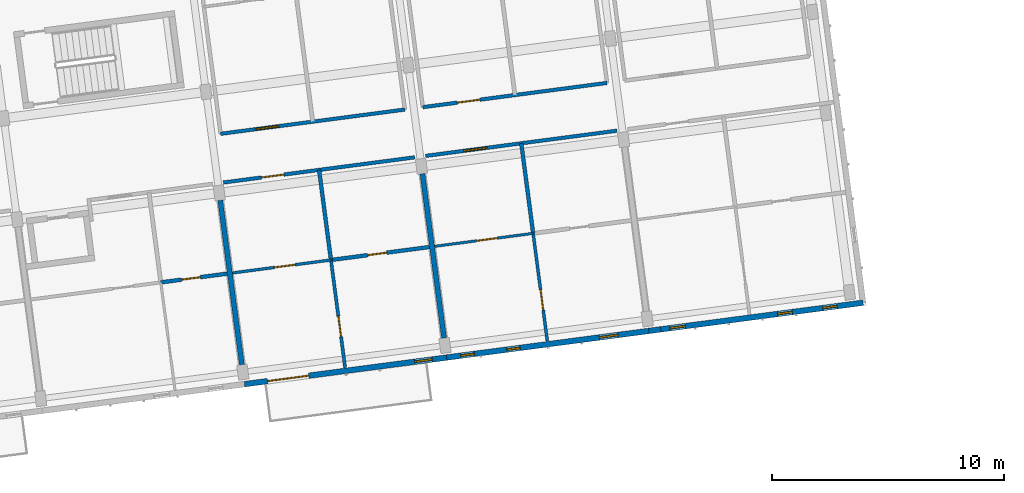
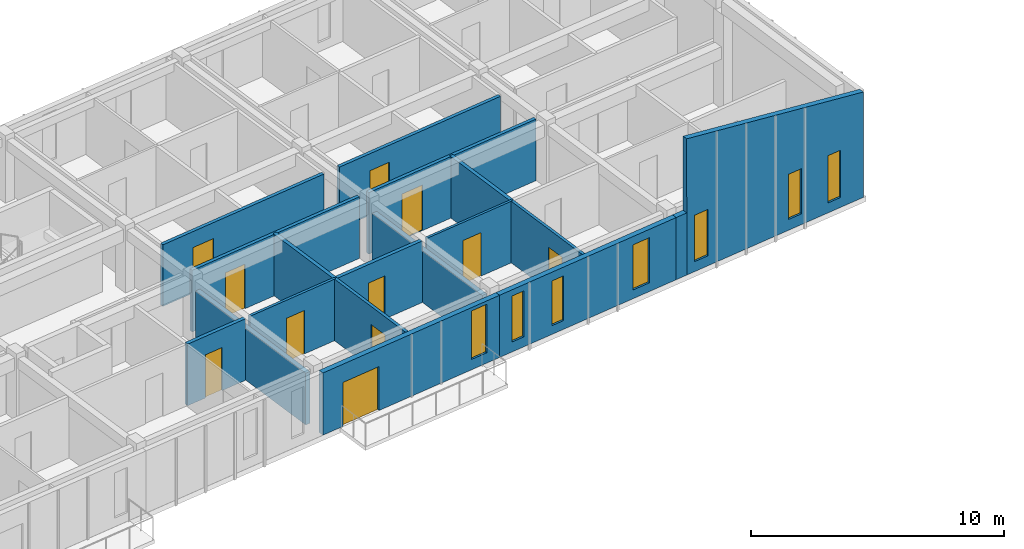
# One storey, part 14 of 31: 18 walls, 11 doors, 7 windows, 18 openings.
"""IFC4 building model written with IfcOpenShell, lengths in metres."""

from ifc_helpers import new_model, si_unit, direction, frame, frame_2d, origin, place, context, subcontext, project, spatial, polyline, rectangle, outline, extrude, material, layer, layer_set, type_object, element, fill, save


model = new_model("IFC4")

# Units and contexts
model_context = context("Model", 3, precision=1e-05, world=origin(), true_north=direction((0.0, 1.0)))
body_context = subcontext(model_context, "Body", "Model", "MODEL_VIEW")
ifc_project = project(units=[si_unit("LENGTHUNIT", "METRE"), si_unit("AREAUNIT", "SQUARE_METRE"), si_unit("VOLUMEUNIT", "CUBIC_METRE"), si_unit("PLANEANGLEUNIT", "RADIAN"), si_unit("MASSUNIT", "GRAM", prefix="KILO")], contexts=[model_context])

# Site, building, storey
site_placement = place(None, origin())
site = spatial("IfcSite", under=ifc_project, at=site_placement, CompositionType="ELEMENT")
building_placement = place(site_placement, origin())
building = spatial("IfcBuilding", under=site, at=building_placement, Name="Kestramere Prow Commons", CompositionType="ELEMENT")
storey_placement = place(building_placement, frame((0.0, 0.0, 37.64990234375)))
storey = spatial("IfcBuildingStorey", under=building, at=storey_placement, Name="L11", CompositionType="ELEMENT", Elevation=37.64990234375)

# Wall, openings, door, window
ifc_material_1 = material(Name="Fluoropolymer Standing-Seam Zinc-Aluminium Cladding", Category="aluminium")
ifc_layer_1 = layer(ifc_material_1, 0.239990234375)
ifc_layer_set_1 = layer_set([ifc_layer_1], Name="Fluoropolymer Standing-Seam Zinc-Aluminium Cladding")
wall_type_1 = type_object("IfcWallType", Name="EW-SEAM-240", PredefinedType="SOLIDWALL", material=ifc_layer_set_1)
wall_1_placement = place(storey_placement, frame((46.16748046875, 76.073974609375, 0.0), z_axis=(0.0, 0.0, 1.0), x_axis=(-0.991444377792, -0.130529865336, 0.0)))
wall_1 = element("IfcWall", 1, at=wall_1_placement, inside=storey, type_object=wall_type_1, Name="Block A L11 South Standing-Seam Wall 4", PredefinedType="SOLIDWALL", context=body_context, shape_type="SweptSolid", body=[
    extrude(rectangle(XDim=8.800048828125, YDim=0.239990234375, at=frame_2d((4.39990234375, 0.0))), origin(), (0.0, 0.0, 1.0), 3.0),
])
opening_1_placement = place(wall_1_placement, frame((5.9970703125, 0.0, 0.0)))
opening_1 = element("IfcOpeningElement", 2, at=opening_1_placement, cuts=wall_1, Name="Opening GD-BAL-02", PredefinedType="OPENING", context=body_context, shape_type="SweptSolid", body=[
    extrude(rectangle(XDim=1.800048828125, YDim=2.1201171875, at=frame_2d((0.89990234375, 1.06005859375))), frame((0.0, 0.135009765625, 0.0), z_axis=(0.0, -1.0, 0.0), x_axis=(1.0, 0.0, 0.0)), (0.0, 0.0, 1.0), 0.27001953125),
])
opening_2_placement = place(wall_1_placement, frame((0.6298828125, 0.0, 0.5)))
opening_2 = element("IfcOpeningElement", 3, at=opening_2_placement, cuts=wall_1, Name="Opening WN-10", PredefinedType="OPENING", context=body_context, shape_type="SweptSolid", body=[
    extrude(rectangle(XDim=0.760009765625, YDim=2.340087890625, at=frame_2d((0.3798828125, 1.169921875))), frame((0.0, 0.135009765625, 0.0), z_axis=(0.0, -1.0, 0.0), x_axis=(1.0, 0.0, 0.0)), (0.0, 0.0, 1.0), 0.27001953125),
])
ifc_material_2 = material(Name="Thermally-Broken Anodised Aluminium Glazed", Category="aluminium")
door_type_1 = type_object("IfcDoorType", Name="GD-BAL-1800", OperationType="SLIDING_TO_LEFT", PredefinedType="DOOR", material=ifc_material_2)
door_1_placement = place(opening_1_placement, origin())
door_1 = element("IfcDoor", 4, at=door_1_placement, inside=storey, type_object=door_type_1, Name="Block A L11 Balcony Door 4", OperationType="SLIDING_TO_LEFT", OverallHeight=2.1201171875, OverallWidth=1.800048828125, PredefinedType="DOOR", context=body_context, shape_type="SweptSolid", body=[
    extrude(rectangle(XDim=1.800048828125, YDim=2.1201171875, at=frame_2d((0.89990234375, 1.06005859375))), frame((0.0, 0.02490234375, 0.0), z_axis=(0.0, -1.0, 0.0), x_axis=(1.0, 0.0, 0.0)), (0.0, 0.0, 1.0), 0.050048828125),
])
fill(opening_1, door_1)
ifc_material_3 = material(Name="Low-E Laminated Double Glazing", Category="glass")
window_type_1 = type_object("IfcWindowType", Name="WN-NAR-760A", PartitioningType="SINGLE_PANEL", PredefinedType="WINDOW", material=ifc_material_3)
window_1_placement = place(opening_2_placement, origin())
window_1 = element("IfcWindow", 5, at=window_1_placement, inside=storey, type_object=window_type_1, Name="WN-A-L11-SR-3", OverallHeight=2.340087890625, OverallWidth=0.760009765625, PartitioningType="SINGLE_PANEL", PredefinedType="WINDOW", context=body_context, shape_type="SweptSolid", body=[
    extrude(rectangle(XDim=0.760009765625, YDim=2.340087890625, at=frame_2d((0.3798828125, 1.169921875))), frame((0.0, 0.030029296875, 0.0), z_axis=(0.0, -1.0, 0.0), x_axis=(1.0, 0.0, 0.0)), (0.0, 0.0, 1.0), 0.06005859375),
])
fill(opening_2, window_1)

# Wall, openings, windows
wall_2_placement = place(storey_placement, frame((54.89208984375, 77.22265625, 0.0), z_axis=(0.0, 0.0, 1.0), x_axis=(-0.991443905089, -0.130533455715, 0.0)))
wall_2 = element("IfcWall", 6, at=wall_2_placement, inside=storey, type_object=wall_type_1, Name="Block A L11 South Standing-Seam Wall 5", PredefinedType="SOLIDWALL", context=body_context, shape_type="SweptSolid", body=[
    extrude(rectangle(XDim=8.7998046875, YDim=0.239990234375, at=frame_2d((4.39990234375, 0.0))), origin(), (0.0, 0.0, 1.0), 3.0),
])
opening_3_placement = place(wall_2_placement, frame((1.342041015625, 0.0, 0.419921875)))
opening_3 = element("IfcOpeningElement", 7, at=opening_3_placement, cuts=wall_2, Name="Opening WN-13", PredefinedType="OPENING", context=body_context, shape_type="SweptSolid", body=[
    extrude(rectangle(XDim=0.820068359375, YDim=2.179931640625, at=frame_2d((0.41015625, 1.08984375))), frame((0.0, 0.135009765625, 0.0), z_axis=(0.0, -1.0, 0.0), x_axis=(1.0, 0.0, 0.0)), (0.0, 0.0, 1.0), 0.27001953125),
])
opening_4_placement = place(wall_2_placement, frame((5.60400390625, 0.0, 0.419921875)))
opening_4 = element("IfcOpeningElement", 8, at=opening_4_placement, cuts=wall_2, Name="Opening WN-01", PredefinedType="OPENING", context=body_context, shape_type="SweptSolid", body=[
    extrude(rectangle(XDim=0.580078125, YDim=2.159912109375, at=frame_2d((0.2900390625, 1.080078125))), frame((0.0, 0.135009765625, 0.0), z_axis=(0.0, -1.0, 0.0), x_axis=(1.0, 0.0, 0.0)), (0.0, 0.0, 1.0), 0.27001953125),
])
opening_5_placement = place(wall_2_placement, frame((7.590087890625, 0.0, 0.47998046875)))
opening_5 = element("IfcOpeningElement", 9, at=opening_5_placement, cuts=wall_2, Name="Opening WN-02", PredefinedType="OPENING", context=body_context, shape_type="SweptSolid", body=[
    extrude(rectangle(XDim=0.60009765625, YDim=2.219970703125, at=frame_2d((0.300048828125, 1.10986328125))), frame((0.0, 0.135009765625, 0.0), z_axis=(0.0, -1.0, 0.0), x_axis=(1.0, 0.0, 0.0)), (0.0, 0.0, 1.0), 0.27001953125),
])
window_type_2 = type_object("IfcWindowType", Name="WN-NAR-580A", PartitioningType="SINGLE_PANEL", PredefinedType="WINDOW", material=ifc_material_3)
window_2_placement = place(opening_4_placement, origin())
window_2 = element("IfcWindow", 10, at=window_2_placement, inside=storey, type_object=window_type_2, Name="WN-A-L11-S-4-10", OverallHeight=2.159912109375, OverallWidth=0.580078125, PartitioningType="SINGLE_PANEL", PredefinedType="WINDOW", context=body_context, shape_type="SweptSolid", body=[
    extrude(rectangle(XDim=0.580078125, YDim=2.159912109375, at=frame_2d((0.2900390625, 1.080078125))), frame((0.0, 0.030029296875, 0.0), z_axis=(0.0, -1.0, 0.0), x_axis=(1.0, 0.0, 0.0)), (0.0, 0.0, 1.0), 0.06005859375),
])
fill(opening_4, window_2)
window_type_3 = type_object("IfcWindowType", Name="WN-NAR-600A", PartitioningType="SINGLE_PANEL", PredefinedType="WINDOW", material=ifc_material_3)
window_3_placement = place(opening_5_placement, origin())
window_3 = element("IfcWindow", 11, at=window_3_placement, inside=storey, type_object=window_type_3, Name="WN-A-L11-S-4-11", OverallHeight=2.219970703125, OverallWidth=0.60009765625, PartitioningType="SINGLE_PANEL", PredefinedType="WINDOW", context=body_context, shape_type="SweptSolid", body=[
    extrude(rectangle(XDim=0.60009765625, YDim=2.219970703125, at=frame_2d((0.300048828125, 1.10986328125))), frame((0.0, 0.030029296875, 0.0), z_axis=(0.0, -1.0, 0.0), x_axis=(1.0, 0.0, 0.0)), (0.0, 0.0, 1.0), 0.06005859375),
])
fill(opening_5, window_3)
window_type_4 = type_object("IfcWindowType", Name="WN-NAR-820A", PartitioningType="DOUBLE_PANEL_VERTICAL", PredefinedType="WINDOW", material=ifc_material_3)
window_4_placement = place(opening_3_placement, origin())
window_4 = element("IfcWindow", 12, at=window_4_placement, inside=storey, type_object=window_type_4, Name="WN-A-L11-S-4-00", OverallHeight=2.179931640625, OverallWidth=0.820068359375, PartitioningType="SINGLE_PANEL", PredefinedType="WINDOW", context=body_context, shape_type="SweptSolid", body=[
    extrude(rectangle(XDim=0.820068359375, YDim=2.179931640625, at=frame_2d((0.41015625, 1.08984375))), frame((0.0, 0.030029296875, 0.0), z_axis=(0.0, -1.0, 0.0), x_axis=(1.0, 0.0, 0.0)), (0.0, 0.0, 1.0), 0.06005859375),
])
fill(opening_3, window_4)

# Wall
wall_3_placement = place(storey_placement, frame((55.41259765625, 77.291259765625, 0.0), z_axis=(0.0, 0.0, 1.0), x_axis=(-0.991425781816, -0.130671034095, 0.0)))
element("IfcWall", 13, at=wall_3_placement, inside=storey, type_object=wall_type_1, Name="Block A L11 South Step-Back Spandrel Wall 6", PredefinedType="SOLIDWALL", context=body_context, shape_type="SweptSolid", body=[
    extrude(rectangle(XDim=0.52490234375, YDim=0.239990234375, at=frame_2d((0.262451171875, 0.0))), origin(), (0.0, 0.0, 1.0), 3.0),
])

# Wall, openings, windows
wall_4_placement = place(storey_placement, frame((64.13720703125, 78.439697265625, 0.0), z_axis=(0.0, 0.0, 1.0), x_axis=(-0.991447495205, -0.130506184728, 0.0)))
wall_4 = element("IfcWall", 14, at=wall_4_placement, inside=storey, type_object=wall_type_1, Name="Block A L11 South Standing-Seam Wall 6", PredefinedType="SOLIDWALL", context=body_context, shape_type="SweptSolid", body=[
    extrude(outline(polyline([(0.0, 0.0), (8.7998046875, 0.0), (8.800048828125, 6.572509765625), (0.0, 5.0830078125), (0.0, 0.0)])), frame((0.0, 0.1201171875, 0.0), z_axis=(0.0, -1.0, 0.0), x_axis=(1.0, 0.0, 0.0)), (0.0, 0.0, 1.0), 0.239990234375),
])
opening_6_placement = place(wall_4_placement, frame((1.135009765625, 0.0, 0.47998046875)))
opening_6 = element("IfcOpeningElement", 15, at=opening_6_placement, cuts=wall_4, Name="Opening WN-03", PredefinedType="OPENING", context=body_context, shape_type="SweptSolid", body=[
    extrude(rectangle(XDim=0.6201171875, YDim=2.280029296875, at=frame_2d((0.31005859375, 1.14013671875))), frame((0.0, 0.135009765625, 0.0), z_axis=(0.0, -1.0, 0.0), x_axis=(1.0, 0.0, 0.0)), (0.0, 0.0, 1.0), 0.27001953125),
])
opening_7_placement = place(wall_4_placement, frame((3.0810546875, 0.0, 0.52001953125)))
opening_7 = element("IfcOpeningElement", 16, at=opening_7_placement, cuts=wall_4, Name="Opening WN-04", PredefinedType="OPENING", context=body_context, shape_type="SweptSolid", body=[
    extrude(rectangle(XDim=0.639892578125, YDim=2.179931640625, at=frame_2d((0.31982421875, 1.08984375))), frame((0.0, 0.135009765625, 0.0), z_axis=(0.0, -1.0, 0.0), x_axis=(1.0, 0.0, 0.0)), (0.0, 0.0, 1.0), 0.27001953125),
])
opening_8_placement = place(wall_4_placement, frame((7.730224609375, 0.0, 0.47998046875)))
opening_8 = element("IfcOpeningElement", 17, at=opening_8_placement, cuts=wall_4, Name="Opening WN-06", PredefinedType="OPENING", context=body_context, shape_type="SweptSolid", body=[
    extrude(rectangle(XDim=0.679931640625, YDim=2.239990234375, at=frame_2d((0.33984375, 1.1201171875))), frame((0.0, 0.135009765625, 0.0), z_axis=(0.0, -1.0, 0.0), x_axis=(1.0, 0.0, 0.0)), (0.0, 0.0, 1.0), 0.27001953125),
])
window_type_5 = type_object("IfcWindowType", Name="WN-NAR-620A", PartitioningType="SINGLE_PANEL", PredefinedType="WINDOW", material=ifc_material_3)
window_5_placement = place(opening_6_placement, origin())
window_5 = element("IfcWindow", 18, at=window_5_placement, inside=storey, type_object=window_type_5, Name="WN-A-L11-S-5-00", OverallHeight=2.280029296875, OverallWidth=0.6201171875, PartitioningType="SINGLE_PANEL", PredefinedType="WINDOW", context=body_context, shape_type="SweptSolid", body=[
    extrude(rectangle(XDim=0.6201171875, YDim=2.280029296875, at=frame_2d((0.31005859375, 1.14013671875))), frame((0.0, 0.030029296875, 0.0), z_axis=(0.0, -1.0, 0.0), x_axis=(1.0, 0.0, 0.0)), (0.0, 0.0, 1.0), 0.06005859375),
])
fill(opening_6, window_5)
window_type_6 = type_object("IfcWindowType", Name="WN-NAR-640A", PartitioningType="SINGLE_PANEL", PredefinedType="WINDOW", material=ifc_material_3)
window_6_placement = place(opening_7_placement, origin())
window_6 = element("IfcWindow", 19, at=window_6_placement, inside=storey, type_object=window_type_6, Name="WN-A-L11-S-5-01", OverallHeight=2.179931640625, OverallWidth=0.639892578125, PartitioningType="SINGLE_PANEL", PredefinedType="WINDOW", context=body_context, shape_type="SweptSolid", body=[
    extrude(rectangle(XDim=0.639892578125, YDim=2.179931640625, at=frame_2d((0.31982421875, 1.08984375))), frame((0.0, 0.030029296875, 0.0), z_axis=(0.0, -1.0, 0.0), x_axis=(1.0, 0.0, 0.0)), (0.0, 0.0, 1.0), 0.06005859375),
])
fill(opening_7, window_6)
window_type_7 = type_object("IfcWindowType", Name="WN-NAR-680A", PartitioningType="SINGLE_PANEL", PredefinedType="WINDOW", material=ifc_material_3)
window_7_placement = place(opening_8_placement, origin())
window_7 = element("IfcWindow", 20, at=window_7_placement, inside=storey, type_object=window_type_7, Name="WN-A-L11-S-5-10", OverallHeight=2.239990234375, OverallWidth=0.679931640625, PartitioningType="SINGLE_PANEL", PredefinedType="WINDOW", context=body_context, shape_type="SweptSolid", body=[
    extrude(rectangle(XDim=0.679931640625, YDim=2.239990234375, at=frame_2d((0.33984375, 1.1201171875))), frame((0.0, 0.030029296875, 0.0), z_axis=(0.0, -1.0, 0.0), x_axis=(1.0, 0.0, 0.0)), (0.0, 0.0, 1.0), 0.06005859375),
])
fill(opening_8, window_7)

# Wall, opening, door
ifc_material_4 = material(Name="Fire-Rated Calcium Silicate Wall")
ifc_layer_2 = layer(ifc_material_4, 0.155029296875)
ifc_layer_set_2 = layer_set([ifc_layer_2], Name="Fire-Rated Calcium Silicate Wall")
wall_type_2 = type_object("IfcWallType", Name="W-FIRE-150", PredefinedType="PARTITIONING", material=ifc_layer_set_2)
wall_5_placement = place(storey_placement, frame((36.5341796875, 83.626220703125, 0.0), z_axis=(0.0, 0.0, 1.0), x_axis=(0.991443119217, 0.13053942453, 0.0)))
wall_5 = element("IfcWall", 21, at=wall_5_placement, inside=storey, type_object=wall_type_2, Name="Interior Partition PW-A-L11-CS-3", PredefinedType="PARTITIONING", context=body_context, shape_type="SweptSolid", body=[
    extrude(rectangle(XDim=8.330078125, YDim=0.155029296875, at=frame_2d((4.1650390625, 0.0))), origin(), (0.0, 0.0, 1.0), 2.97021484375),
])
opening_9_placement = place(wall_5_placement, frame((1.655029296875, 0.0, 0.0)))
opening_9 = element("IfcOpeningElement", 22, at=opening_9_placement, cuts=wall_5, Name="Opening ID-04", PredefinedType="OPENING", context=body_context, shape_type="SweptSolid", body=[
    extrude(rectangle(XDim=0.97998046875, YDim=2.14990234375, at=frame_2d((0.489990234375, 1.074951171875))), frame((0.0, 0.092529296875, 0.0), z_axis=(0.0, -1.0, 0.0), x_axis=(1.0, 0.0, 0.0)), (0.0, 0.0, 1.0), 0.18505859375),
])
ifc_material_5 = material(Name="Hardwood Fire-Rated Flat Entrance Door", Category="wood")
door_type_2 = type_object("IfcDoorType", Name="FD-ENT-01", OperationType="NOTDEFINED", PredefinedType="DOOR", material=ifc_material_5)
door_2_placement = place(opening_9_placement, origin())
door_2 = element("IfcDoor", 23, at=door_2_placement, inside=storey, type_object=door_type_2, Name="Interior Door DR-A-L11-ENT-S3", OperationType="SINGLE_SWING_LEFT", OverallHeight=2.14990234375, OverallWidth=0.97998046875, PredefinedType="DOOR", context=body_context, shape_type="SweptSolid", body=[
    extrude(rectangle(XDim=0.97998046875, YDim=2.14990234375, at=frame_2d((0.489990234375, 1.074951171875))), frame((0.0, 0.02490234375, 0.0), z_axis=(0.0, -1.0, 0.0), x_axis=(1.0, 0.0, 0.0)), (0.0, 0.0, 1.0), 0.050048828125),
])
fill(opening_9, door_2)

wall_6_placement = place(storey_placement, frame((45.259033203125, 84.77490234375, 0.0), z_axis=(0.0, 0.0, 1.0), x_axis=(0.991446412738, 0.130514407897, 0.0)))
wall_6 = element("IfcWall", 24, at=wall_6_placement, inside=storey, type_object=wall_type_2, Name="Interior Partition PW-A-L11-CS-4", PredefinedType="PARTITIONING", context=body_context, shape_type="SweptSolid", body=[
    extrude(rectangle(XDim=8.329833984375, YDim=0.155029296875, at=frame_2d((4.1650390625, 0.0))), origin(), (0.0, 0.0, 1.0), 2.97021484375),
])
opening_10_placement = place(wall_6_placement, frame((1.655029296875, 0.0, 0.0)))
opening_10 = element("IfcOpeningElement", 25, at=opening_10_placement, cuts=wall_6, Name="Opening ID-05", PredefinedType="OPENING", context=body_context, shape_type="SweptSolid", body=[
    extrude(rectangle(XDim=1.02001953125, YDim=2.199951171875, at=frame_2d((0.510009765625, 1.10009765625))), frame((0.0, 0.092529296875, 0.0), z_axis=(0.0, -1.0, 0.0), x_axis=(1.0, 0.0, 0.0)), (0.0, 0.0, 1.0), 0.18505859375),
])
door_type_3 = type_object("IfcDoorType", Name="FD-ENT-02", OperationType="NOTDEFINED", PredefinedType="DOOR", material=ifc_material_5)
door_3_placement = place(opening_10_placement, origin())
door_3 = element("IfcDoor", 26, at=door_3_placement, inside=storey, type_object=door_type_3, Name="Interior Door DR-A-L11-ENT-S4", OperationType="SINGLE_SWING_RIGHT", OverallHeight=2.199951171875, OverallWidth=1.02001953125, PredefinedType="DOOR", context=body_context, shape_type="SweptSolid", body=[
    extrude(rectangle(XDim=1.02001953125, YDim=2.199951171875, at=frame_2d((0.510009765625, 1.10009765625))), frame((0.0, 0.02490234375, 0.0), z_axis=(0.0, -1.0, 0.0), x_axis=(1.0, 0.0, 0.0)), (0.0, 0.0, 1.0), 0.050048828125),
])
fill(opening_10, door_3)

wall_7_placement = place(storey_placement, frame((36.413818359375, 85.728515625, 0.0), z_axis=(0.0, 0.0, 1.0), x_axis=(0.991444034844, 0.130532470184, 0.0)))
wall_7 = element("IfcWall", 27, at=wall_7_placement, inside=storey, type_object=wall_type_2, Name="Interior Partition PW-A-L11-CN-3", PredefinedType="PARTITIONING", context=body_context, shape_type="SweptSolid", body=[
    extrude(rectangle(XDim=8.02001953125, YDim=0.155029296875, at=frame_2d((4.010009765625, 0.0))), origin(), (0.0, 0.0, 1.0), 2.97021484375),
])
opening_11_placement = place(wall_7_placement, frame((1.5048828125, 0.0, 0.0)))
opening_11 = element("IfcOpeningElement", 28, at=opening_11_placement, cuts=wall_7, Name="Opening ID-05", PredefinedType="OPENING", context=body_context, shape_type="SweptSolid", body=[
    extrude(rectangle(XDim=1.02001953125, YDim=2.199951171875, at=frame_2d((0.510009765625, 1.10009765625))), frame((0.0, 0.092529296875, 0.0), z_axis=(0.0, -1.0, 0.0), x_axis=(1.0, 0.0, 0.0)), (0.0, 0.0, 1.0), 0.18505859375),
])
door_4_placement = place(opening_11_placement, origin())
door_4 = element("IfcDoor", 29, at=door_4_placement, inside=storey, type_object=door_type_3, Name="Interior Door DR-A-L11-ENT-N3", OperationType="SINGLE_SWING_RIGHT", OverallHeight=2.199951171875, OverallWidth=1.02001953125, PredefinedType="DOOR", context=body_context, shape_type="SweptSolid", body=[
    extrude(rectangle(XDim=1.02001953125, YDim=2.199951171875, at=frame_2d((0.510009765625, 1.10009765625))), frame((0.0, 0.02490234375, 0.0), z_axis=(0.0, -1.0, 0.0), x_axis=(1.0, 0.0, 0.0)), (0.0, 0.0, 1.0), 0.050048828125),
])
fill(opening_11, door_4)

wall_8_placement = place(storey_placement, frame((45.138427734375, 86.877197265625, 0.0), z_axis=(0.0, 0.0, 1.0), x_axis=(0.991444034844, 0.130532470184, 0.0)))
wall_8 = element("IfcWall", 30, at=wall_8_placement, inside=storey, type_object=wall_type_2, Name="Interior Partition PW-A-L11-CN-4", PredefinedType="PARTITIONING", context=body_context, shape_type="SweptSolid", body=[
    extrude(rectangle(XDim=8.02001953125, YDim=0.155029296875, at=frame_2d((4.010009765625, 0.0))), origin(), (0.0, 0.0, 1.0), 2.97021484375),
])
opening_12_placement = place(wall_8_placement, frame((1.5048828125, 0.0, 0.0)))
opening_12 = element("IfcOpeningElement", 31, at=opening_12_placement, cuts=wall_8, Name="Opening ID-04", PredefinedType="OPENING", context=body_context, shape_type="SweptSolid", body=[
    extrude(rectangle(XDim=0.97998046875, YDim=2.14990234375, at=frame_2d((0.489990234375, 1.074951171875))), frame((0.0, 0.092529296875, 0.0), z_axis=(0.0, -1.0, 0.0), x_axis=(1.0, 0.0, 0.0)), (0.0, 0.0, 1.0), 0.18505859375),
])
door_5_placement = place(opening_12_placement, origin())
door_5 = element("IfcDoor", 32, at=door_5_placement, inside=storey, type_object=door_type_2, Name="Interior Door DR-A-L11-ENT-N4", OperationType="SINGLE_SWING_LEFT", OverallHeight=2.14990234375, OverallWidth=0.97998046875, PredefinedType="DOOR", context=body_context, shape_type="SweptSolid", body=[
    extrude(rectangle(XDim=0.97998046875, YDim=2.14990234375, at=frame_2d((0.489990234375, 1.074951171875))), frame((0.0, 0.02490234375, 0.0), z_axis=(0.0, -1.0, 0.0), x_axis=(1.0, 0.0, 0.0)), (0.0, 0.0, 1.0), 0.050048828125),
])
fill(opening_12, door_5)

ifc_material_6 = material(Name="Gypsum Acoustic Drywall")
ifc_layer_3 = layer(ifc_material_6, 0.110107421875)
ifc_layer_set_3 = layer_set([ifc_layer_3], Name="Gypsum Acoustic Drywall")
wall_type_3 = type_object("IfcWallType", Name="W-PART-110", PredefinedType="PARTITIONING", material=ifc_layer_set_3)
wall_9_placement = place(storey_placement, frame((45.651611328125, 80.872802734375, 0.0), z_axis=(0.0, 0.0, 1.0), x_axis=(0.991444014242, 0.130532626667, 0.0)))
wall_9 = element("IfcWall", 33, at=wall_9_placement, inside=storey, type_object=wall_type_3, Name="Interior Partition PW-A-L11-MIDS1-4", PredefinedType="PARTITIONING", context=body_context, shape_type="SweptSolid", body=[
    extrude(rectangle(XDim=4.284912109375, YDim=0.110107421875, at=frame_2d((2.142578125, 0.0))), origin(), (0.0, 0.0, 1.0), 2.97021484375),
])
opening_13_placement = place(wall_9_placement, frame((1.824951171875, 0.0, 0.0)))
opening_13 = element("IfcOpeningElement", 34, at=opening_13_placement, cuts=wall_9, Name="Opening ID-08", PredefinedType="OPENING", context=body_context, shape_type="SweptSolid", body=[
    extrude(rectangle(XDim=0.89990234375, YDim=2.10009765625, at=frame_2d((0.449951171875, 1.050048828125))), frame((0.0, 0.070068359375, 0.0), z_axis=(0.0, -1.0, 0.0), x_axis=(1.0, 0.0, 0.0)), (0.0, 0.0, 1.0), 0.14013671875),
])
ifc_material_7 = material(Name="Engineered Timber Flush Door", Category="wood")
door_type_4 = type_object("IfcDoorType", Name="D-RM-01", OperationType="NOTDEFINED", PredefinedType="DOOR", material=ifc_material_7)
door_6_placement = place(opening_13_placement, origin())
door_6 = element("IfcDoor", 35, at=door_6_placement, inside=storey, type_object=door_type_4, Name="Interior Door DR-A-L11-KL-S4", OperationType="SINGLE_SWING_RIGHT", OverallHeight=2.10009765625, OverallWidth=0.89990234375, PredefinedType="DOOR", context=body_context, shape_type="SweptSolid", body=[
    extrude(rectangle(XDim=0.89990234375, YDim=2.10009765625, at=frame_2d((0.449951171875, 1.050048828125))), frame((0.0, 0.02490234375, 0.0), z_axis=(0.0, -1.0, 0.0), x_axis=(1.0, 0.0, 0.0)), (0.0, 0.0, 1.0), 0.050048828125),
])
fill(opening_13, door_6)

ifc_material_8 = material(Name="Lightweight Blockwork and Plaster", Category="masonry")
ifc_layer_4 = layer(ifc_material_8, 0.1201171875)
ifc_layer_set_4 = layer_set([ifc_layer_4], Name="Lightweight Blockwork and Plaster")
wall_type_4 = type_object("IfcWallType", Name="W-PART-120", PredefinedType="PARTITIONING", material=ifc_layer_set_4)
wall_10_placement = place(storey_placement, frame((36.927001953125, 79.72412109375, 0.0), z_axis=(0.0, 0.0, 1.0), x_axis=(0.991444014242, 0.130532626667, 0.0)))
wall_10 = element("IfcWall", 36, at=wall_10_placement, inside=storey, type_object=wall_type_4, Name="Interior Partition PW-A-L11-MIDS1-3", PredefinedType="PARTITIONING", context=body_context, shape_type="SweptSolid", body=[
    extrude(rectangle(XDim=4.284912109375, YDim=0.1201171875, at=frame_2d((2.142578125, 0.0))), origin(), (0.0, 0.0, 1.0), 2.97021484375),
])
opening_14_placement = place(wall_10_placement, frame((1.824951171875, 0.0, 0.0)))
opening_14 = element("IfcOpeningElement", 37, at=opening_14_placement, cuts=wall_10, Name="Opening ID-08", PredefinedType="OPENING", context=body_context, shape_type="SweptSolid", body=[
    extrude(rectangle(XDim=0.89990234375, YDim=2.10009765625, at=frame_2d((0.449951171875, 1.050048828125))), frame((0.0, 0.074951171875, 0.0), z_axis=(0.0, -1.0, 0.0), x_axis=(1.0, 0.0, 0.0)), (0.0, 0.0, 1.0), 0.150146484375),
])
door_7_placement = place(opening_14_placement, origin())
door_7 = element("IfcDoor", 38, at=door_7_placement, inside=storey, type_object=door_type_4, Name="Interior Door DR-A-L11-KL-S3", OperationType="SINGLE_SWING_RIGHT", OverallHeight=2.10009765625, OverallWidth=0.89990234375, PredefinedType="DOOR", context=body_context, shape_type="SweptSolid", body=[
    extrude(rectangle(XDim=0.89990234375, YDim=2.10009765625, at=frame_2d((0.449951171875, 1.050048828125))), frame((0.0, 0.02490234375, 0.0), z_axis=(0.0, -1.0, 0.0), x_axis=(1.0, 0.0, 0.0)), (0.0, 0.0, 1.0), 0.050048828125),
])
fill(opening_14, door_7)

ifc_layer_5 = layer(ifc_material_8, 0.1298828125)
ifc_layer_set_5 = layer_set([ifc_layer_5], Name="Lightweight Blockwork and Plaster")
wall_type_5 = type_object("IfcWallType", Name="W-PART-130", PredefinedType="PARTITIONING", material=ifc_layer_set_5)
wall_11_placement = place(storey_placement, frame((50.51220703125, 76.7822265625, 0.0), z_axis=(0.0, 0.0, 1.0), x_axis=(-0.130554157184, 0.991441179315, 0.0)))
wall_11 = element("IfcWall", 39, at=wall_11_placement, inside=storey, type_object=wall_type_5, Name="Interior Partition PW-A-L11-LB-S4", PredefinedType="PARTITIONING", context=body_context, shape_type="SweptSolid", body=[
    extrude(rectangle(XDim=4.68994140625, YDim=0.1298828125, at=frame_2d((2.344970703125, 0.0))), origin(), (0.0, 0.0, 1.0), 2.97021484375),
])
opening_15_placement = place(wall_11_placement, frame((1.35009765625, 0.0, 0.0)))
opening_15 = element("IfcOpeningElement", 40, at=opening_15_placement, cuts=wall_11, Name="Opening ID-10", PredefinedType="OPENING", context=body_context, shape_type="SweptSolid", body=[
    extrude(rectangle(XDim=0.8798828125, YDim=2.10009765625, at=frame_2d((0.43994140625, 1.050048828125))), frame((0.0, 0.079833984375, 0.0), z_axis=(0.0, -1.0, 0.0), x_axis=(1.0, 0.0, 0.0)), (0.0, 0.0, 1.0), 0.159912109375),
])
ifc_material_9 = material(Name="Engineered Timber Bedroom Door", Category="wood")
door_type_5 = type_object("IfcDoorType", Name="D-RM-03", OperationType="NOTDEFINED", PredefinedType="DOOR", material=ifc_material_9)
door_8_placement = place(opening_15_placement, origin())
door_8 = element("IfcDoor", 41, at=door_8_placement, inside=storey, type_object=door_type_5, Name="Interior Door DR-A-L11-BED-S4", OperationType="SINGLE_SWING_LEFT", OverallHeight=2.10009765625, OverallWidth=0.8798828125, PredefinedType="DOOR", context=body_context, shape_type="SweptSolid", body=[
    extrude(rectangle(XDim=0.8798828125, YDim=2.10009765625, at=frame_2d((0.43994140625, 1.050048828125))), frame((0.0, 0.02490234375, 0.0), z_axis=(0.0, -1.0, 0.0), x_axis=(1.0, 0.0, 0.0)), (0.0, 0.0, 1.0), 0.050048828125),
])
fill(opening_15, door_8)

ifc_material_10 = material(Name="Masonry Compartment Wall", Category="masonry")
ifc_layer_6 = layer(ifc_material_10, 0.139892578125)
ifc_layer_set_6 = layer_set([ifc_layer_6], Name="Masonry Compartment Wall")
wall_type_6 = type_object("IfcWallType", Name="W-PART-140", PredefinedType="PARTITIONING", material=ifc_layer_set_6)
wall_12_placement = place(storey_placement, frame((41.787353515625, 75.633544921875, 0.0), z_axis=(0.0, 0.0, 1.0), x_axis=(-0.130502988823, 0.991447915883, 0.0)))
wall_12 = element("IfcWall", 42, at=wall_12_placement, inside=storey, type_object=wall_type_6, Name="Interior Partition PW-A-L11-LB-S3", PredefinedType="PARTITIONING", context=body_context, shape_type="SweptSolid", body=[
    extrude(rectangle(XDim=4.68994140625, YDim=0.139892578125, at=frame_2d((2.344970703125, 0.0))), origin(), (0.0, 0.0, 1.0), 2.97021484375),
])
opening_16_placement = place(wall_12_placement, frame((1.35009765625, 0.0, 0.0)))
opening_16 = element("IfcOpeningElement", 43, at=opening_16_placement, cuts=wall_12, Name="Opening ID-08", PredefinedType="OPENING", context=body_context, shape_type="SweptSolid", body=[
    extrude(rectangle(XDim=0.89990234375, YDim=2.10009765625, at=frame_2d((0.449951171875, 1.050048828125))), frame((0.0, 0.0849609375, 0.0), z_axis=(0.0, -1.0, 0.0), x_axis=(1.0, 0.0, 0.0)), (0.0, 0.0, 1.0), 0.169921875),
])
door_9_placement = place(opening_16_placement, origin())
door_9 = element("IfcDoor", 44, at=door_9_placement, inside=storey, type_object=door_type_4, Name="Interior Door DR-A-L11-BED-S3", OperationType="SINGLE_SWING_RIGHT", OverallHeight=2.10009765625, OverallWidth=0.89990234375, PredefinedType="DOOR", context=body_context, shape_type="SweptSolid", body=[
    extrude(rectangle(XDim=0.89990234375, YDim=2.10009765625, at=frame_2d((0.449951171875, 1.050048828125))), frame((0.0, 0.02490234375, 0.0), z_axis=(0.0, -1.0, 0.0), x_axis=(1.0, 0.0, 0.0)), (0.0, 0.0, 1.0), 0.050048828125),
])
fill(opening_16, door_9)

ifc_material_11 = material(Name="Waterproof Sanitary Masonry Wall", Category="masonry")
ifc_layer_7 = layer(ifc_material_11, 0.1650390625)
ifc_layer_set_7 = layer_set([ifc_layer_7], Name="Waterproof Sanitary Masonry Wall")
wall_type_7 = type_object("IfcWallType", Name="W-PLUMB-150", PredefinedType="PLUMBINGWALL", material=ifc_layer_set_7)
wall_13_placement = place(storey_placement, frame((33.83349609375, 79.31689453125, 0.0), z_axis=(0.0, 0.0, 1.0), x_axis=(0.99144710616, 0.130509140242, 0.0)))
wall_13 = element("IfcWall", 45, at=wall_13_placement, inside=storey, type_object=wall_type_7, Name="Interior Partition PW-A-L11-MIDS2-2", PredefinedType="PLUMBINGWALL", context=body_context, shape_type="SweptSolid", body=[
    extrude(rectangle(XDim=2.89013671875, YDim=0.1650390625, at=frame_2d((1.445068359375, 0.0))), origin(), (0.0, 0.0, 1.0), 2.97021484375),
])
opening_17_placement = place(wall_13_placement, frame((0.903076171875, 0.0, 0.0)))
opening_17 = element("IfcOpeningElement", 46, at=opening_17_placement, cuts=wall_13, Name="Opening ID-11", PredefinedType="OPENING", context=body_context, shape_type="SweptSolid", body=[
    extrude(rectangle(XDim=0.820068359375, YDim=2.080078125, at=frame_2d((0.41015625, 1.0400390625))), frame((0.0, 0.097412109375, 0.0), z_axis=(0.0, -1.0, 0.0), x_axis=(1.0, 0.0, 0.0)), (0.0, 0.0, 1.0), 0.195068359375),
])
ifc_material_12 = material(Name="Moisture-Resistant Timber Bathroom Door", Category="wood")
door_type_6 = type_object("IfcDoorType", Name="D-BT-01", OperationType="NOTDEFINED", PredefinedType="DOOR", material=ifc_material_12)
door_10_placement = place(opening_17_placement, origin())
door_10 = element("IfcDoor", 47, at=door_10_placement, inside=storey, type_object=door_type_6, Name="Interior Door DR-A-L11-BTH-S2", OperationType="SINGLE_SWING_LEFT", OverallHeight=2.080078125, OverallWidth=0.820068359375, PredefinedType="DOOR", context=body_context, shape_type="SweptSolid", body=[
    extrude(rectangle(XDim=0.820068359375, YDim=2.080078125, at=frame_2d((0.41015625, 1.0400390625))), frame((0.0, 0.02490234375, 0.0), z_axis=(0.0, -1.0, 0.0), x_axis=(1.0, 0.0, 0.0)), (0.0, 0.0, 1.0), 0.050048828125),
])
fill(opening_17, door_10)

wall_14_placement = place(storey_placement, frame((41.17529296875, 80.283447265625, 0.0), z_axis=(0.0, 0.0, 1.0), x_axis=(0.991444014242, 0.130532626667, 0.0)))
wall_14 = element("IfcWall", 48, at=wall_14_placement, inside=storey, type_object=wall_type_7, Name="Interior Partition PW-A-L11-MIDS2-3", PredefinedType="PLUMBINGWALL", context=body_context, shape_type="SweptSolid", body=[
    extrude(rectangle(XDim=4.284912109375, YDim=0.1650390625, at=frame_2d((2.142578125, 0.0))), origin(), (0.0, 0.0, 1.0), 2.97021484375),
])
opening_18_placement = place(wall_14_placement, frame((1.60009765625, 0.0, 0.0)))
opening_18 = element("IfcOpeningElement", 49, at=opening_18_placement, cuts=wall_14, Name="Opening ID-11", PredefinedType="OPENING", context=body_context, shape_type="SweptSolid", body=[
    extrude(rectangle(XDim=0.820068359375, YDim=2.080078125, at=frame_2d((0.41015625, 1.0400390625))), frame((0.0, 0.097412109375, 0.0), z_axis=(0.0, -1.0, 0.0), x_axis=(1.0, 0.0, 0.0)), (0.0, 0.0, 1.0), 0.195068359375),
])
door_11_placement = place(opening_18_placement, origin())
door_11 = element("IfcDoor", 50, at=door_11_placement, inside=storey, type_object=door_type_6, Name="Interior Door DR-A-L11-BTH-S3", OperationType="SINGLE_SWING_LEFT", OverallHeight=2.080078125, OverallWidth=0.820068359375, PredefinedType="DOOR", context=body_context, shape_type="SweptSolid", body=[
    extrude(rectangle(XDim=0.820068359375, YDim=2.080078125, at=frame_2d((0.41015625, 1.0400390625))), frame((0.0, 0.02490234375, 0.0), z_axis=(0.0, -1.0, 0.0), x_axis=(1.0, 0.0, 0.0)), (0.0, 0.0, 1.0), 0.050048828125),
])
fill(opening_18, door_11)

# Walls
for number, where, z_axis, x_axis, name in (
    (51, (41.17529296875, 80.283447265625, 0.0), (0.0, 0.0, 1.0), (-0.130539898676, 0.991443056788, 0.0), "Interior Partition PW-A-L11-KB-S3"),
    (52, (49.89990234375, 81.43212890625, 0.0), (0.0, 0.0, 1.0), (-0.130539898676, 0.991443056788, 0.0), "Interior Partition PW-A-L11-KB-S4"),
):
    element("IfcWall", number, at=place(storey_placement, frame(where, z_axis=z_axis, x_axis=x_axis)), inside=storey, type_object=wall_type_7, Name=name, PredefinedType="PLUMBINGWALL", context=body_context, shape_type="SweptSolid", body=[
        extrude(rectangle(XDim=3.919921875, YDim=0.1650390625, at=frame_2d((1.9599609375, 0.0))), origin(), (0.0, 0.0, 1.0), 2.97021484375),
    ])
ifc_material_13 = material(Name="Precast concrete C40/50", Category="concrete")
ifc_layer_8 = layer(ifc_material_13, 0.219970703125)
ifc_layer_set_8 = layer_set([ifc_layer_8], Name="Precast concrete C40/50")
wall_type_8 = type_object("IfcWallType", Name="W-XWALL-220", PredefinedType="SHEAR", material=ifc_layer_set_8)
wall_15_placement = place(storey_placement, frame((37.331787109375, 75.76806640625, 0.0), z_axis=(0.0, 0.0, 1.0), x_axis=(-0.130537539388, 0.991443367425, 0.0)))
element("IfcWall", 53, at=wall_15_placement, inside=storey, type_object=wall_type_8, Name="Block A L11 Precast Cross-Wall 3", PredefinedType="SHEAR", context=body_context, shape_type="SweptSolid", body=[
    extrude(rectangle(XDim=7.150146484375, YDim=0.219970703125, at=frame_2d((3.5751953125, 0.0))), origin(), (0.0, 0.0, 1.0), 2.5),
])
wall_16_placement = place(storey_placement, frame((46.056396484375, 76.916748046875, 0.0), z_axis=(0.0, 0.0, 1.0), x_axis=(-0.130503975686, 0.991447785983, 0.0)))
element("IfcWall", 54, at=wall_16_placement, inside=storey, type_object=wall_type_8, Name="Block A L11 Precast Cross-Wall 4", PredefinedType="SHEAR", context=body_context, shape_type="SweptSolid", body=[
    extrude(rectangle(XDim=7.14990234375, YDim=0.219970703125, at=frame_2d((3.574951171875, 0.0))), origin(), (0.0, 0.0, 1.0), 2.5),
])

save(model, "model.ifc")
